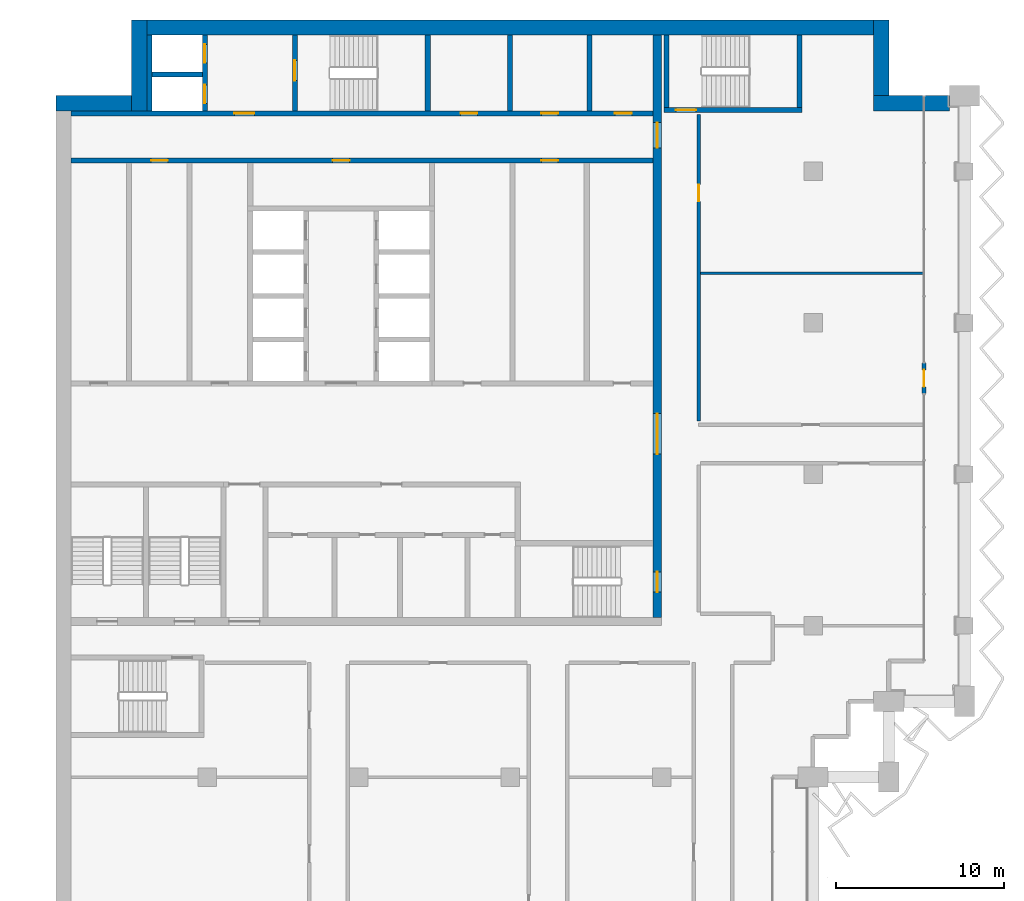
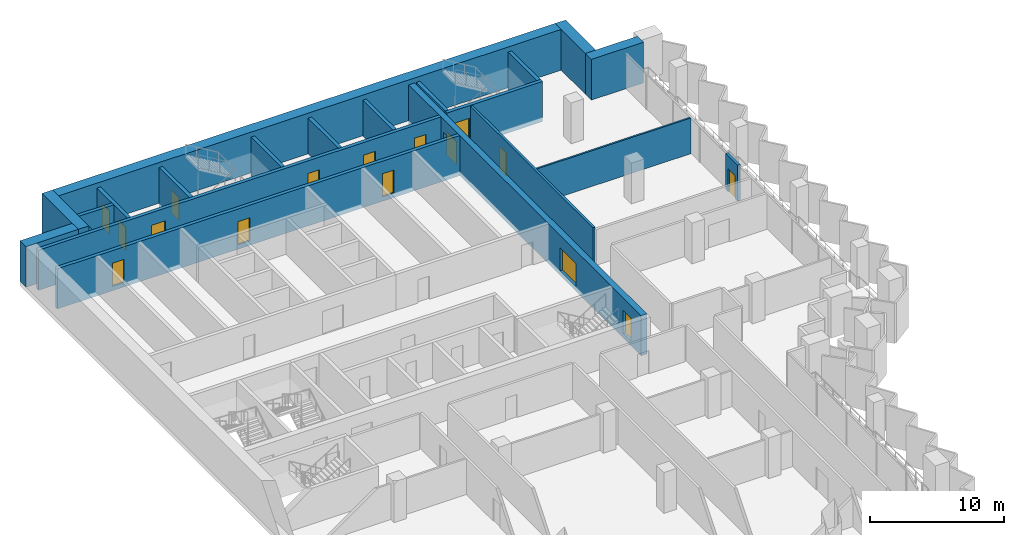
# One storey, part 12 of 18: 21 walls, 16 doors, 16 openings.
"""IFC4 building model written with IfcOpenShell, lengths in metres."""

import ifcopenshell
import ifcopenshell.guid

model = None  # the IFC model being written
_history = None  # IfcOwnerHistory: only IFC2X3 demands one
_inside = {}  # id of a spatial element -> (the spatial element, [elements in it])
_under = {}  # id of a project, library or spatial element -> (it, [spatial elements below it])
_declared = {}  # id of a project -> (the project, [libraries it declares])
_typed = {}  # id of a type object -> (the type object, [elements of that type])
_made_of = {}  # id of a material, layer set ... -> (it, [elements and type objects made of it])


def new_model(schema):
    """Start an empty IFC model of exactly this schema.

    Asked for "IFC4X3", IfcOpenShell would pick the latest addendum, in which some entities
    have other attributes; the version numbers below select the first issue.
    IFC2X3 requires an IfcOwnerHistory on every rooted entity: one is made here for all.
    """
    global model, _history
    if schema == "IFC4X3":
        model = ifcopenshell.file(schema_version=(4, 3, 0, 0))
    else:
        model = ifcopenshell.file(schema=schema)
    _inside.clear()
    _under.clear()
    _declared.clear()
    _typed.clear()
    _made_of.clear()
    _history = None
    if model.schema == "IFC2X3":
        org = make("IfcOrganization", Name="unknown")
        user = make(
            "IfcPersonAndOrganization",
            ThePerson=make("IfcPerson", FamilyName="unknown"),
            TheOrganization=org,
        )
        app = make(
            "IfcApplication",
            ApplicationDeveloper=org,
            Version="unknown",
            ApplicationFullName="unknown",
            ApplicationIdentifier="unknown",
        )
        _history = make(
            "IfcOwnerHistory",
            OwningUser=user,
            OwningApplication=app,
            ChangeAction="ADDED",
            CreationDate=0,
        )
    return model


def make(cls, **values):
    """One entity of the class cls with the attributes given. An attribute that is None is left unset."""
    return model.create_entity(
        cls, **{name: value for name, value in values.items() if value is not None}
    )


def rooted(cls, **values):
    """An entity with a GlobalId (a new one), such as an element, a storey or a relation."""
    return make(cls, GlobalId=ifcopenshell.guid.new(), OwnerHistory=_history, **values)


def si_unit(unit_type, name, prefix=None):
    """IfcSIUnit, for example si_unit("LENGTHUNIT", "METRE", prefix="MILLI")."""
    return make("IfcSIUnit", UnitType=unit_type, Prefix=prefix, Name=name)


def assignment(units):
    """IfcUnitAssignment: the units of a project."""
    return None if units is None else make("IfcUnitAssignment", Units=units)


def point(xyz):
    """IfcCartesianPoint."""
    return None if xyz is None else make("IfcCartesianPoint", Coordinates=xyz)


def direction(xyz):
    """IfcDirection."""
    return None if xyz is None else make("IfcDirection", DirectionRatios=xyz)


def frame(location, z_axis=None, x_axis=None):
    """IfcAxis2Placement3D, a coordinate frame: its origin and axes. An axis left out is left unset."""
    return make(
        "IfcAxis2Placement3D",
        Location=point(location),
        Axis=direction(z_axis),
        RefDirection=direction(x_axis),
    )


def frame_2d(location, x_axis=None):
    """IfcAxis2Placement2D, a coordinate frame in the plane: its origin and x axis."""
    return make(
        "IfcAxis2Placement2D", Location=point(location), RefDirection=direction(x_axis)
    )


def origin():
    """The frame at (0, 0, 0) with its axes left unset."""
    return frame((0.0, 0.0, 0.0))


def place(relative_to, where):
    """IfcLocalPlacement: puts the frame where relative to a parent placement (None: the world)."""
    return make(
        "IfcLocalPlacement", PlacementRelTo=relative_to, RelativePlacement=where
    )


def context(
    kind, dimensions, precision=None, world=None, true_north=None, identifier=None
):
    """IfcGeometricRepresentationContext, for example the 3D "Model" context."""
    return make(
        "IfcGeometricRepresentationContext",
        ContextIdentifier=identifier,
        ContextType=kind,
        CoordinateSpaceDimension=dimensions,
        Precision=precision,
        WorldCoordinateSystem=world,
        TrueNorth=true_north,
    )


def subcontext(parent, identifier, kind, view, scale=None):
    """IfcGeometricRepresentationSubContext, for example "Body" below "Model"."""
    return make(
        "IfcGeometricRepresentationSubContext",
        ContextIdentifier=identifier,
        ContextType=kind,
        ParentContext=parent,
        TargetScale=scale,
        TargetView=view,
    )


def project(units=None, contexts=None):
    """IfcProject with its units and contexts."""
    return rooted(
        "IfcProject",
        Name="project",
        RepresentationContexts=contexts,
        UnitsInContext=assignment(units),
    )


def spatial(cls, under=None, at=None, **own):
    """A site, building, storey or space (cls), placed at a placement, below another one or the project."""
    s = rooted(cls, ObjectPlacement=at, **own)
    if under is not None:
        _under.setdefault(under.id(), (under, []))[1].append(s)
    return s


def profile(cls, at=None, kind="AREA", **sizes):
    """A parametric profile (cls). Its sizes go by their IFC names, for example OverallWidth=200.0."""
    return make(cls, ProfileType=kind, Position=at, **sizes)


def rectangle(**sizes):
    """IfcRectangleProfileDef."""
    return profile("IfcRectangleProfileDef", **sizes)


def extrude(swept, where, along, depth):
    """IfcExtrudedAreaSolid: the profile swept, set in the frame where, extruded along a direction by depth."""
    return make(
        "IfcExtrudedAreaSolid",
        SweptArea=swept,
        Position=where,
        ExtrudedDirection=direction(along),
        Depth=depth,
    )


def shape(context_of_items, identifier, shape_type, items):
    """IfcShapeRepresentation: the items that make up one representation, for example the "Body"."""
    return make(
        "IfcShapeRepresentation",
        ContextOfItems=context_of_items,
        RepresentationIdentifier=identifier,
        RepresentationType=shape_type,
        Items=items,
    )


def material(Name=None, Category=None):
    """IfcMaterial."""
    return make("IfcMaterial", Name=Name, Category=Category)


def layer(
    of_material, thickness, ventilated=None, Name=None, Category=None, Priority=None
):
    """IfcMaterialLayer: one layer of a wall or slab, of a material (None: an air gap)."""
    return make(
        "IfcMaterialLayer",
        Material=of_material,
        LayerThickness=thickness,
        IsVentilated=ventilated,
        Name=Name,
        Category=Category,
        Priority=Priority,
    )


def layer_set(layers, Name=None):
    """IfcMaterialLayerSet."""
    return make("IfcMaterialLayerSet", MaterialLayers=layers, LayerSetName=Name)


def made_of(thing, what):
    """Note that an element or type object is made of a material, layer set ...; save() writes the relation."""
    if what is not None:
        _made_of.setdefault(what.id(), (what, []))[1].append(thing)
    return thing


def type_object(cls, material=None, **own):
    """A type object (cls), such as IfcWallType, which elements share."""
    return made_of(rooted(cls, **own), material)


def element(
    cls,
    number,
    at=None,
    inside=None,
    cuts=None,
    type_object=None,
    material=None,
    context=None,
    identifier="Body",
    shape_type=None,
    held_by="IfcProductDefinitionShape",
    body=None,
    shapes=None,
    **own,
):
    """One element of the class cls, such as IfcWall. Its Tag is "e" and its number.

    at: its placement. inside: the storey or other place that contains it. cuts: it is an
    opening in that element (IfcRelVoidsElement). A single representation is given by context,
    identifier, shape_type and body (its items); several are given by shapes. held_by: the class
    of the entity that holds the representations. save() writes the other relations.
    """
    e = rooted(cls, Tag="e%d" % number, ObjectPlacement=at, **own)
    if body is not None:
        shapes = [shape(context, identifier, shape_type, body)]
    if shapes is not None:
        e.Representation = make(held_by, Representations=shapes)
    if inside is not None:
        _inside.setdefault(inside.id(), (inside, []))[1].append(e)
    if cuts is not None:
        rooted(
            "IfcRelVoidsElement", RelatingBuildingElement=cuts, RelatedOpeningElement=e
        )
    if type_object is not None:
        _typed.setdefault(type_object.id(), (type_object, []))[1].append(e)
    return made_of(e, material)


def fill(opening, filler):
    """IfcRelFillsElement: the door or window that sits in an opening."""
    return rooted(
        "IfcRelFillsElement",
        RelatingOpeningElement=opening,
        RelatedBuildingElement=filler,
    )


def aggregate(whole, parts):
    """IfcRelAggregates: a whole, such as a stair, and the parts it consists of."""
    return rooted("IfcRelAggregates", RelatingObject=whole, RelatedObjects=parts)


def save(model, path):
    """Write the relations noted so far, then the file.

    IfcRelAggregates (storeys below a building ...), IfcRelContainedInSpatialStructure (elements
    in a storey), IfcRelDefinesByType, IfcRelAssociatesMaterial and IfcRelDeclares: one each for
    every whole, place, type object, material and project.
    """
    for whole, parts in _under.values():
        aggregate(whole, parts)
    for where, things in _inside.values():
        rooted(
            "IfcRelContainedInSpatialStructure",
            RelatedElements=things,
            RelatingStructure=where,
        )
    for kind, things in _typed.values():
        rooted("IfcRelDefinesByType", RelatedObjects=things, RelatingType=kind)
    for what, things in _made_of.values():
        rooted("IfcRelAssociatesMaterial", RelatedObjects=things, RelatingMaterial=what)
    for by, libraries in _declared.values():
        rooted("IfcRelDeclares", RelatingContext=by, RelatedDefinitions=libraries)
    model.write(path)


model = new_model("IFC4")

# Units and contexts
model_context = context("Model", 3, precision=1e-05, world=origin(), true_north=direction((0.0, 1.0)))
body_context = subcontext(model_context, "Body", "Model", "MODEL_VIEW")
ifc_project = project(units=[si_unit("LENGTHUNIT", "METRE"), si_unit("AREAUNIT", "SQUARE_METRE"), si_unit("VOLUMEUNIT", "CUBIC_METRE"), si_unit("PLANEANGLEUNIT", "RADIAN"), si_unit("MASSUNIT", "GRAM", prefix="KILO")], contexts=[model_context])

# Site, building, storey
site_placement = place(None, origin())
site = spatial("IfcSite", under=ifc_project, at=site_placement, CompositionType="ELEMENT")
building_placement = place(site_placement, origin())
building = spatial("IfcBuilding", under=site, at=building_placement, Name="Hunhe Ridgeline Campus", CompositionType="ELEMENT")
storey_placement = place(building_placement, frame((0.0, 0.0, 223.5)))
storey = spatial("IfcBuildingStorey", under=building, at=storey_placement, Name="L57", CompositionType="ELEMENT", Elevation=223.5)

# Walls
ifc_material_1 = material(Name="Masonry concrete blockwork", Category="masonry")
ifc_layer_1 = layer(ifc_material_1, 0.300048828125)
ifc_layer_set_1 = layer_set([ifc_layer_1], Name="Core room partition 300 concrete block")
wall_type_1 = type_object("IfcWallType", Name="Core room partition 300 concrete block", PredefinedType="PARTITIONING", material=ifc_layer_set_1)
for number, where, z_axis, x_axis, name in (
    (1, (27.0, 93.60009765625, 0.0), (0.0, 0.0, 1.0), (0.0, 1.0, 0.0), "L57 core partition 47"),
    (2, (31.699951171875, 93.60009765625, 0.0), (0.0, 0.0, 1.0), (0.0, 1.0, 0.0), "L57 core partition 52"),
):
    element("IfcWall", number, at=place(storey_placement, frame(where, z_axis=z_axis, x_axis=x_axis)), inside=storey, type_object=wall_type_1, Name=name, PredefinedType="PARTITIONING", context=body_context, shape_type="SweptSolid", body=[
        extrude(rectangle(XDim=4.5, YDim=0.300048828125, at=frame_2d((2.25, 0.0))), origin(), (0.0, 0.0, 1.0), 3.25),
    ])

# Wall, openings, doors
ifc_material_2 = material(Name="Concrete C60", Category="concrete")
ifc_layer_2 = layer(ifc_material_2, 0.5)
ifc_layer_set_2 = layer_set([ifc_layer_2], Name="Core wall 500 reinforced concrete C60")
wall_type_2 = type_object("IfcWallType", Name="Core wall 500 reinforced concrete C60", PredefinedType="SOLIDWALL", material=ifc_layer_set_2)
wall_1_placement = place(storey_placement, frame((35.75, 63.5, -0.39990234375), z_axis=(0.0, 0.0, 1.0), x_axis=(0.0, 1.0, 0.0)))
wall_1 = element("IfcWall", 3, at=wall_1_placement, inside=storey, type_object=wall_type_2, Name="L57 core wall 53", PredefinedType="SOLIDWALL", context=body_context, shape_type="SweptSolid", body=[
    extrude(rectangle(XDim=34.60009765625, YDim=0.5, at=frame_2d((17.300048828125, 0.0))), origin(), (0.0, 0.0, 1.0), 3.64990234375),
])
opening_1_placement = place(wall_1_placement, frame((9.699951171875, 0.0, 0.39990234375)))
opening_1 = element("IfcOpeningElement", 4, at=opening_1_placement, cuts=wall_1, Name="Opening CD4", PredefinedType="OPENING", context=body_context, shape_type="SweptSolid", body=[
    extrude(rectangle(XDim=2.39990234375, YDim=2.10009765625, at=frame_2d((1.199951171875, 1.050048828125))), frame((0.0, 0.25, 0.0), z_axis=(0.0, -1.0, 0.0), x_axis=(1.0, 0.0, 0.0)), (0.0, 0.0, 1.0), 0.5),
])
opening_2_placement = place(wall_1_placement, frame((27.89990234375, 0.0, 0.39990234375)))
opening_2 = element("IfcOpeningElement", 5, at=opening_2_placement, cuts=wall_1, Name="Opening CD5", PredefinedType="OPENING", context=body_context, shape_type="SweptSolid", body=[
    extrude(rectangle(XDim=1.5, YDim=2.10009765625, at=frame_2d((0.75, 1.050048828125))), frame((0.0, 0.25, 0.0), z_axis=(0.0, -1.0, 0.0), x_axis=(1.0, 0.0, 0.0)), (0.0, 0.0, 1.0), 0.5),
])
opening_3_placement = place(wall_1_placement, frame((1.5, 0.0, 0.39990234375)))
opening_3 = element("IfcOpeningElement", 6, at=opening_3_placement, cuts=wall_1, Name="Opening CD15", PredefinedType="OPENING", context=body_context, shape_type="SweptSolid", body=[
    extrude(rectangle(XDim=1.199951171875, YDim=2.10009765625, at=frame_2d((0.60009765625, 1.050048828125))), frame((0.0, 0.25, 0.0), z_axis=(0.0, -1.0, 0.0), x_axis=(1.0, 0.0, 0.0)), (0.0, 0.0, 1.0), 0.5),
])
ifc_material_3 = material(Name="Anodised aluminium and glass", Category="aluminium")
door_type_1 = type_object("IfcDoorType", Name="Glazed double door 2400x2100", OperationType="DOUBLE_DOOR_SINGLE_SWING", PredefinedType="DOOR", material=ifc_material_3)
door_1_placement = place(opening_1_placement, frame((2.39990234375, 0.0, 0.0), z_axis=(0.0, 0.0, 1.0), x_axis=(-1.0, 0.0, 0.0)))
door_1 = element("IfcDoor", 7, at=door_1_placement, inside=storey, type_object=door_type_1, Name="L57 door HALL-FLOOR", OperationType="DOUBLE_DOOR_SINGLE_SWING", OverallHeight=2.10009765625, OverallWidth=2.39990234375, PredefinedType="DOOR", context=body_context, shape_type="SweptSolid", body=[
    extrude(rectangle(XDim=2.39990234375, YDim=2.10009765625, at=frame_2d((1.199951171875, 1.050048828125))), frame((0.0, 0.02490234375, 0.0), z_axis=(0.0, -1.0, 0.0), x_axis=(1.0, 0.0, 0.0)), (0.0, 0.0, 1.0), 0.050048828125),
])
fill(opening_1, door_1)
ifc_material_4 = material(Name="Hollow metal fire door leaf")
door_type_2 = type_object("IfcDoorType", Name="Stair door 1200x2100 FD60", OperationType="SINGLE_SWING_LEFT", PredefinedType="DOOR", material=ifc_material_4)
door_2_placement = place(opening_3_placement, frame((1.199951171875, 0.0, 0.0), z_axis=(0.0, 0.0, 1.0), x_axis=(-1.0, 0.0, 0.0)))
door_2 = element("IfcDoor", 8, at=door_2_placement, inside=storey, type_object=door_type_2, Name="L57 door S2-FLOOR", OperationType="SINGLE_SWING_LEFT", OverallHeight=2.10009765625, OverallWidth=1.199951171875, PredefinedType="DOOR", context=body_context, shape_type="SweptSolid", body=[
    extrude(rectangle(XDim=1.199951171875, YDim=2.10009765625, at=frame_2d((0.60009765625, 1.050048828125))), frame((0.0, 0.02490234375, 0.0), z_axis=(0.0, -1.0, 0.0), x_axis=(1.0, 0.0, 0.0)), (0.0, 0.0, 1.0), 0.050048828125),
])
fill(opening_3, door_2)
ifc_material_5 = material(Name="Solid core timber door leaf", Category="wood")
door_type_3 = type_object("IfcDoorType", Name="Timber door 1500x2100", OperationType="SINGLE_SWING_LEFT", PredefinedType="DOOR", material=ifc_material_5)
door_3_placement = place(opening_2_placement, frame((1.5, 0.0, 0.0), z_axis=(0.0, 0.0, 1.0), x_axis=(-1.0, 0.0, 0.0)))
door_3 = element("IfcDoor", 9, at=door_3_placement, inside=storey, type_object=door_type_3, Name="L57 door C1-FLOOR", OperationType="SINGLE_SWING_LEFT", OverallHeight=2.10009765625, OverallWidth=1.5, PredefinedType="DOOR", context=body_context, shape_type="SweptSolid", body=[
    extrude(rectangle(XDim=1.5, YDim=2.10009765625, at=frame_2d((0.75, 1.050048828125))), frame((0.0, 0.02490234375, 0.0), z_axis=(0.0, -1.0, 0.0), x_axis=(1.0, 0.0, 0.0)), (0.0, 0.0, 1.0), 0.050048828125),
])
fill(opening_2, door_3)

# Wall, opening, door
ifc_material_6 = material(Name="Gypsum board partition")
ifc_layer_3 = layer(ifc_material_6, 0.199951171875)
ifc_layer_set_3 = layer_set([ifc_layer_3], Name="Corridor partition 200 gypsum board on steel studs")
wall_type_3 = type_object("IfcWallType", Name="Corridor partition 200 gypsum board on steel studs", PredefinedType="PARTITIONING", material=ifc_layer_set_3)
wall_2_placement = place(storey_placement, frame((38.199951171875, 93.39599609375, 0.0), z_axis=(0.0, 0.0, 1.0), x_axis=(0.0, -1.0, 0.0)))
wall_2 = element("IfcWall", 10, at=wall_2_placement, inside=storey, type_object=wall_type_3, Name="F-L57-wall-048", PredefinedType="PARTITIONING", context=body_context, shape_type="SweptSolid", body=[
    extrude(rectangle(XDim=18.216552734375, YDim=0.199951171875, at=frame_2d((9.1083984375, 0.0))), origin(), (0.0, 0.0, 1.0), 3.25),
])
opening_4_placement = place(wall_2_placement, frame((4.1806640625, 0.0, 0.0)))
opening_4 = element("IfcOpeningElement", 11, at=opening_4_placement, cuts=wall_2, Name="Opening RD1-020", PredefinedType="OPENING", context=body_context, shape_type="SweptSolid", body=[
    extrude(rectangle(XDim=1.0, YDim=2.10009765625, at=frame_2d((0.5, 1.050048828125))), frame((0.0, 0.10009765625, 0.0), z_axis=(0.0, -1.0, 0.0), x_axis=(1.0, 0.0, 0.0)), (0.0, 0.0, 1.0), 0.199951171875),
])
ifc_material_7 = material(Name="Timber door leaf", Category="wood")
door_type_4 = type_object("IfcDoorType", Name="Single fire door 1000x2100 timber FD60", OperationType="NOTDEFINED", PredefinedType="DOOR", material=ifc_material_7)
door_4_placement = place(opening_4_placement, origin())
door_4 = element("IfcDoor", 12, at=door_4_placement, inside=storey, type_object=door_type_4, Name="F-L57-door-020", OperationType="SINGLE_SWING_RIGHT", OverallHeight=2.10009765625, OverallWidth=1.0, PredefinedType="DOOR", context=body_context, shape_type="SweptSolid", body=[
    extrude(rectangle(XDim=1.0, YDim=2.10009765625, at=frame_2d((0.5, 1.050048828125))), frame((0.0, 0.02490234375, 0.0), z_axis=(0.0, -1.0, 0.0), x_axis=(1.0, 0.0, 0.0)), (0.0, 0.0, 1.0), 0.050048828125),
])
fill(opening_4, door_4)

# Wall, openings, doors
ifc_layer_4 = layer(ifc_material_2, 0.300048828125)
ifc_layer_set_4 = layer_set([ifc_layer_4], Name="Lobby wall 300 reinforced concrete C60")
wall_type_4 = type_object("IfcWallType", Name="Lobby wall 300 reinforced concrete C60", PredefinedType="SOLIDWALL", material=ifc_layer_set_4)
wall_3_placement = place(storey_placement, frame((0.89990234375, 90.64990234375, -0.39990234375), z_axis=(0.0, 0.0, 1.0), x_axis=(1.0, 0.0, 0.0)))
wall_3 = element("IfcWall", 13, at=wall_3_placement, inside=storey, type_object=wall_type_4, Name="L57 core wall 21", PredefinedType="SOLIDWALL", context=body_context, shape_type="SweptSolid", body=[
    extrude(rectangle(XDim=34.60009765625, YDim=0.300048828125, at=frame_2d((17.300048828125, 0.0))), origin(), (0.0, 0.0, 1.0), 3.64990234375),
])
opening_5_placement = place(wall_3_placement, frame((15.550048828125, 0.0, 0.39990234375)))
opening_5 = element("IfcOpeningElement", 14, at=opening_5_placement, cuts=wall_3, Name="Opening CD26", PredefinedType="OPENING", context=body_context, shape_type="SweptSolid", body=[
    extrude(rectangle(XDim=1.0, YDim=2.10009765625, at=frame_2d((0.5, 1.050048828125))), frame((0.0, 0.14990234375, 0.0), z_axis=(0.0, -1.0, 0.0), x_axis=(1.0, 0.0, 0.0)), (0.0, 0.0, 1.0), 0.300048828125),
])
opening_6_placement = place(wall_3_placement, frame((4.75, 0.0, 0.39990234375)))
opening_6 = element("IfcOpeningElement", 15, at=opening_6_placement, cuts=wall_3, Name="Opening CD40", PredefinedType="OPENING", context=body_context, shape_type="SweptSolid", body=[
    extrude(rectangle(XDim=1.0, YDim=2.10009765625, at=frame_2d((0.5, 1.050048828125))), frame((0.0, 0.14990234375, 0.0), z_axis=(0.0, -1.0, 0.0), x_axis=(1.0, 0.0, 0.0)), (0.0, 0.0, 1.0), 0.300048828125),
])
opening_7_placement = place(wall_3_placement, frame((27.949951171875, 0.0, 0.39990234375)))
opening_7 = element("IfcOpeningElement", 16, at=opening_7_placement, cuts=wall_3, Name="Opening CD33", PredefinedType="OPENING", context=body_context, shape_type="SweptSolid", body=[
    extrude(rectangle(XDim=1.0, YDim=2.10009765625, at=frame_2d((0.5, 1.050048828125))), frame((0.0, 0.14990234375, 0.0), z_axis=(0.0, -1.0, 0.0), x_axis=(1.0, 0.0, 0.0)), (0.0, 0.0, 1.0), 0.300048828125),
])
door_type_5 = type_object("IfcDoorType", Name="Timber door 1000x2100", OperationType="SINGLE_SWING_LEFT", PredefinedType="DOOR", material=ifc_material_5)
door_5_placement = place(opening_5_placement, frame((1.0, 0.0, 0.0), z_axis=(0.0, 0.0, 1.0), x_axis=(-1.0, 0.0, 0.0)))
door_5 = element("IfcDoor", 17, at=door_5_placement, inside=storey, type_object=door_type_5, Name="L57 door NR-0", OperationType="SINGLE_SWING_LEFT", OverallHeight=2.10009765625, OverallWidth=1.0, PredefinedType="DOOR", context=body_context, shape_type="SweptSolid", body=[
    extrude(rectangle(XDim=1.0, YDim=2.10009765625, at=frame_2d((0.5, 1.050048828125))), frame((0.0, 0.02490234375, 0.0), z_axis=(0.0, -1.0, 0.0), x_axis=(1.0, 0.0, 0.0)), (0.0, 0.0, 1.0), 0.050048828125),
])
fill(opening_5, door_5)
door_6_placement = place(opening_6_placement, frame((1.0, 0.0, 0.0), z_axis=(0.0, 0.0, 1.0), x_axis=(-1.0, 0.0, 0.0)))
door_6 = element("IfcDoor", 18, at=door_6_placement, inside=storey, type_object=door_type_5, Name="L57 door VD-LR1", OperationType="SINGLE_SWING_LEFT", OverallHeight=2.10009765625, OverallWidth=1.0, PredefinedType="DOOR", context=body_context, shape_type="SweptSolid", body=[
    extrude(rectangle(XDim=1.0, YDim=2.10009765625, at=frame_2d((0.5, 1.050048828125))), frame((0.0, 0.02490234375, 0.0), z_axis=(0.0, -1.0, 0.0), x_axis=(1.0, 0.0, 0.0)), (0.0, 0.0, 1.0), 0.050048828125),
])
fill(opening_6, door_6)
door_7_placement = place(opening_7_placement, frame((1.0, 0.0, 0.0), z_axis=(0.0, 0.0, 1.0), x_axis=(-1.0, 0.0, 0.0)))
door_7 = element("IfcDoor", 19, at=door_7_placement, inside=storey, type_object=door_type_5, Name="L57 door ES1", OperationType="SINGLE_SWING_LEFT", OverallHeight=2.10009765625, OverallWidth=1.0, PredefinedType="DOOR", context=body_context, shape_type="SweptSolid", body=[
    extrude(rectangle(XDim=1.0, YDim=2.10009765625, at=frame_2d((0.5, 1.050048828125))), frame((0.0, 0.02490234375, 0.0), z_axis=(0.0, -1.0, 0.0), x_axis=(1.0, 0.0, 0.0)), (0.0, 0.0, 1.0), 0.050048828125),
])
fill(opening_7, door_7)

# Wall, opening, door
ifc_material_8 = material(Name="Concrete C30", Category="concrete")
ifc_layer_5 = layer(ifc_material_8, 0.25)
ifc_layer_set_5 = layer_set([ifc_layer_5], Name="Loggia door pier wall 250 Concrete C30")
wall_type_5 = type_object("IfcWallType", Name="Loggia door pier wall 250 Concrete C30", PredefinedType="SOLIDWALL", material=ifc_layer_set_5)
wall_4_placement = place(storey_placement, frame((51.59912109375, 76.800537109375, 0.0), z_axis=(0.0, 0.0, 1.0), x_axis=(0.0, 1.0, 0.0)))
wall_4 = element("IfcWall", 20, at=wall_4_placement, inside=storey, type_object=wall_type_5, Name="Loggia door pier 3", PredefinedType="SOLIDWALL", context=body_context, shape_type="SweptSolid", body=[
    extrude(rectangle(XDim=1.800048828125, YDim=0.25, at=frame_2d((0.89990234375, 0.0))), origin(), (0.0, 0.0, 1.0), 3.25),
])
opening_8_placement = place(wall_4_placement, frame((0.39990234375, 0.0, 0.0)))
opening_8 = element("IfcOpeningElement", 21, at=opening_8_placement, cuts=wall_4, Name="Opening BD406", PredefinedType="OPENING", context=body_context, shape_type="SweptSolid", body=[
    extrude(rectangle(XDim=1.0, YDim=2.10009765625, at=frame_2d((0.5, 1.050048828125))), frame((0.0, 0.125, 0.0), z_axis=(0.0, -1.0, 0.0), x_axis=(1.0, 0.0, 0.0)), (0.0, 0.0, 1.0), 0.25),
])
ifc_material_9 = material(Name="Aluminium 6063", Category="aluminium")
door_type_6 = type_object("IfcDoorType", Name="Loggia glazed door 1000x2100", OperationType="NOTDEFINED", PredefinedType="DOOR", material=ifc_material_9)
door_8_placement = place(opening_8_placement, frame((1.0, 0.0, 0.0), z_axis=(0.0, 0.0, 1.0), x_axis=(-1.0, 0.0, 0.0)))
door_8 = element("IfcDoor", 22, at=door_8_placement, inside=storey, type_object=door_type_6, Name="Loggia door BD406", OperationType="SINGLE_SWING_LEFT", OverallHeight=2.10009765625, OverallWidth=1.0, PredefinedType="DOOR", context=body_context, shape_type="SweptSolid", body=[
    extrude(rectangle(XDim=1.0, YDim=2.10009765625, at=frame_2d((0.5, 1.050048828125))), frame((0.0, 0.02490234375, 0.0), z_axis=(0.0, -1.0, 0.0), x_axis=(1.0, 0.0, 0.0)), (0.0, 0.0, 1.0), 0.050048828125),
])
fill(opening_8, door_8)

# Wall
ifc_layer_6 = layer(ifc_material_6, 0.14990234375)
ifc_layer_set_6 = layer_set([ifc_layer_6], Name="Room partition 150 gypsum board on steel studs")
wall_type_6 = type_object("IfcWallType", Name="Room partition 150 gypsum board on steel studs", PredefinedType="PARTITIONING", material=ifc_layer_set_6)
wall_5_placement = place(storey_placement, frame((38.300048828125, 83.949951171875, 0.0), z_axis=(0.0, 0.0, 1.0), x_axis=(1.0, 0.0, 0.0)))
element("IfcWall", 23, at=wall_5_placement, inside=storey, type_object=wall_type_6, Name="F-L57-wall-037", PredefinedType="PARTITIONING", context=body_context, shape_type="SweptSolid", body=[
    extrude(rectangle(XDim=13.244873046875, YDim=0.14990234375, at=frame_2d((6.62255859375, 0.0))), origin(), (0.0, 0.0, 1.0), 3.25),
])

# Wall, openings, doors
ifc_layer_7 = layer(ifc_material_2, 0.300048828125)
ifc_layer_set_7 = layer_set([ifc_layer_7], Name="Shaft wall 300 reinforced concrete C60")
wall_type_7 = type_object("IfcWallType", Name="Shaft wall 300 reinforced concrete C60", PredefinedType="SOLIDWALL", material=ifc_layer_set_7)
wall_6_placement = place(storey_placement, frame((0.89990234375, 93.449951171875, -0.39990234375), z_axis=(0.0, 0.0, 1.0), x_axis=(1.0, 0.0, 0.0)))
wall_6 = element("IfcWall", 24, at=wall_6_placement, inside=storey, type_object=wall_type_7, Name="L57 core wall 22", PredefinedType="SOLIDWALL", context=body_context, shape_type="SweptSolid", body=[
    extrude(rectangle(XDim=34.60009765625, YDim=0.300048828125, at=frame_2d((17.300048828125, 0.0))), origin(), (0.0, 0.0, 1.0), 3.64990234375),
])
opening_9_placement = place(wall_6_placement, frame((9.699951171875, 0.0, 0.39990234375)))
opening_9 = element("IfcOpeningElement", 25, at=opening_9_placement, cuts=wall_6, Name="Opening CD3", PredefinedType="OPENING", context=body_context, shape_type="SweptSolid", body=[
    extrude(rectangle(XDim=1.199951171875, YDim=2.10009765625, at=frame_2d((0.60009765625, 1.050048828125))), frame((0.0, 0.14990234375, 0.0), z_axis=(0.0, -1.0, 0.0), x_axis=(1.0, 0.0, 0.0)), (0.0, 0.0, 1.0), 0.300048828125),
])
opening_10_placement = place(wall_6_placement, frame((23.14990234375, 0.0, 0.39990234375)))
opening_10 = element("IfcOpeningElement", 26, at=opening_10_placement, cuts=wall_6, Name="Opening CD34", PredefinedType="OPENING", context=body_context, shape_type="SweptSolid", body=[
    extrude(rectangle(XDim=1.0, YDim=2.10009765625, at=frame_2d((0.5, 1.050048828125))), frame((0.0, 0.14990234375, 0.0), z_axis=(0.0, -1.0, 0.0), x_axis=(1.0, 0.0, 0.0)), (0.0, 0.0, 1.0), 0.300048828125),
])
opening_11_placement = place(wall_6_placement, frame((27.949951171875, 0.0, 0.39990234375)))
opening_11 = element("IfcOpeningElement", 27, at=opening_11_placement, cuts=wall_6, Name="Opening CD35", PredefinedType="OPENING", context=body_context, shape_type="SweptSolid", body=[
    extrude(rectangle(XDim=1.0, YDim=2.10009765625, at=frame_2d((0.5, 1.050048828125))), frame((0.0, 0.14990234375, 0.0), z_axis=(0.0, -1.0, 0.0), x_axis=(1.0, 0.0, 0.0)), (0.0, 0.0, 1.0), 0.300048828125),
])
opening_12_placement = place(wall_6_placement, frame((32.324951171875, 0.0, 0.39990234375)))
opening_12 = element("IfcOpeningElement", 28, at=opening_12_placement, cuts=wall_6, Name="Opening CD36", PredefinedType="OPENING", context=body_context, shape_type="SweptSolid", body=[
    extrude(rectangle(XDim=1.0, YDim=2.10009765625, at=frame_2d((0.5, 1.050048828125))), frame((0.0, 0.14990234375, 0.0), z_axis=(0.0, -1.0, 0.0), x_axis=(1.0, 0.0, 0.0)), (0.0, 0.0, 1.0), 0.300048828125),
])
door_type_7 = type_object("IfcDoorType", Name="Lobby door 1200x2100 FD60", OperationType="SINGLE_SWING_LEFT", PredefinedType="DOOR", material=ifc_material_4)
door_9_placement = place(opening_9_placement, frame((1.199951171875, 0.0, 0.0), z_axis=(0.0, 0.0, 1.0), x_axis=(-1.0, 0.0, 0.0)))
door_9 = element("IfcDoor", 29, at=door_9_placement, inside=storey, type_object=door_type_7, Name="L57 door FF-C1", OperationType="SINGLE_SWING_RIGHT", OverallHeight=2.10009765625, OverallWidth=1.199951171875, PredefinedType="DOOR", context=body_context, shape_type="SweptSolid", body=[
    extrude(rectangle(XDim=1.199951171875, YDim=2.10009765625, at=frame_2d((0.60009765625, 1.050048828125))), frame((0.0, 0.02490234375, 0.0), z_axis=(0.0, -1.0, 0.0), x_axis=(1.0, 0.0, 0.0)), (0.0, 0.0, 1.0), 0.050048828125),
])
fill(opening_9, door_9)
door_10_placement = place(opening_10_placement, origin())
door_10 = element("IfcDoor", 30, at=door_10_placement, inside=storey, type_object=door_type_5, Name="L57 door NB0", OperationType="SINGLE_SWING_RIGHT", OverallHeight=2.10009765625, OverallWidth=1.0, PredefinedType="DOOR", context=body_context, shape_type="SweptSolid", body=[
    extrude(rectangle(XDim=1.0, YDim=2.10009765625, at=frame_2d((0.5, 1.050048828125))), frame((0.0, 0.02490234375, 0.0), z_axis=(0.0, -1.0, 0.0), x_axis=(1.0, 0.0, 0.0)), (0.0, 0.0, 1.0), 0.050048828125),
])
fill(opening_10, door_10)
door_11_placement = place(opening_11_placement, origin())
door_11 = element("IfcDoor", 31, at=door_11_placement, inside=storey, type_object=door_type_5, Name="L57 door NB1", OperationType="SINGLE_SWING_LEFT", OverallHeight=2.10009765625, OverallWidth=1.0, PredefinedType="DOOR", context=body_context, shape_type="SweptSolid", body=[
    extrude(rectangle(XDim=1.0, YDim=2.10009765625, at=frame_2d((0.5, 1.050048828125))), frame((0.0, 0.02490234375, 0.0), z_axis=(0.0, -1.0, 0.0), x_axis=(1.0, 0.0, 0.0)), (0.0, 0.0, 1.0), 0.050048828125),
])
fill(opening_11, door_11)
door_12_placement = place(opening_12_placement, origin())
door_12 = element("IfcDoor", 32, at=door_12_placement, inside=storey, type_object=door_type_5, Name="L57 door NB2", OperationType="SINGLE_SWING_RIGHT", OverallHeight=2.10009765625, OverallWidth=1.0, PredefinedType="DOOR", context=body_context, shape_type="SweptSolid", body=[
    extrude(rectangle(XDim=1.0, YDim=2.10009765625, at=frame_2d((0.5, 1.050048828125))), frame((0.0, 0.02490234375, 0.0), z_axis=(0.0, -1.0, 0.0), x_axis=(1.0, 0.0, 0.0)), (0.0, 0.0, 1.0), 0.050048828125),
])
fill(opening_12, door_12)

# Walls
wall_7_placement = place(storey_placement, frame((5.699951171875, 95.75, -0.39990234375), z_axis=(0.0, 0.0, 1.0), x_axis=(1.0, 0.0, 0.0)))
element("IfcWall", 33, at=wall_7_placement, inside=storey, type_object=wall_type_7, Name="L57 core wall 24", PredefinedType="SOLIDWALL", context=body_context, shape_type="SweptSolid", body=[
    extrude(rectangle(XDim=3.0, YDim=0.300048828125, at=frame_2d((1.5, 0.0))), origin(), (0.0, 0.0, 1.0), 3.64990234375),
])
wall_8_placement = place(storey_placement, frame((5.550048828125, 93.60009765625, -0.39990234375), z_axis=(0.0, 0.0, 1.0), x_axis=(0.0, 1.0, 0.0)))
element("IfcWall", 34, at=wall_8_placement, inside=storey, type_object=wall_type_7, Name="L57 core wall 27", PredefinedType="SOLIDWALL", context=body_context, shape_type="SweptSolid", body=[
    extrude(rectangle(XDim=4.5, YDim=0.300048828125, at=frame_2d((2.25, 0.0))), origin(), (0.0, 0.0, 1.0), 3.64990234375),
])

# Wall, openings, doors
wall_9_placement = place(storey_placement, frame((8.85009765625, 93.60009765625, -0.39990234375), z_axis=(0.0, 0.0, 1.0), x_axis=(0.0, 1.0, 0.0)))
wall_9 = element("IfcWall", 35, at=wall_9_placement, inside=storey, type_object=wall_type_7, Name="L57 core wall 31", PredefinedType="SOLIDWALL", context=body_context, shape_type="SweptSolid", body=[
    extrude(rectangle(XDim=4.5, YDim=0.300048828125, at=frame_2d((2.25, 0.0))), origin(), (0.0, 0.0, 1.0), 3.64990234375),
])
opening_13_placement = place(wall_9_placement, frame((0.449951171875, 0.0, 0.39990234375)))
opening_13 = element("IfcOpeningElement", 36, at=opening_13_placement, cuts=wall_9, Name="Opening LD-FF1", PredefinedType="OPENING", context=body_context, shape_type="SweptSolid", body=[
    extrude(rectangle(XDim=1.10009765625, YDim=2.10009765625, at=frame_2d((0.550048828125, 1.050048828125))), frame((0.0, 0.14990234375, 0.0), z_axis=(0.0, -1.0, 0.0), x_axis=(1.0, 0.0, 0.0)), (0.0, 0.0, 1.0), 0.300048828125),
])
opening_14_placement = place(wall_9_placement, frame((2.85009765625, 0.0, 0.39990234375)))
opening_14 = element("IfcOpeningElement", 37, at=opening_14_placement, cuts=wall_9, Name="Opening LD-FF2", PredefinedType="OPENING", context=body_context, shape_type="SweptSolid", body=[
    extrude(rectangle(XDim=1.10009765625, YDim=2.10009765625, at=frame_2d((0.550048828125, 1.050048828125))), frame((0.0, 0.14990234375, 0.0), z_axis=(0.0, -1.0, 0.0), x_axis=(1.0, 0.0, 0.0)), (0.0, 0.0, 1.0), 0.300048828125),
])
ifc_material_10 = material(Name="Stainless steel sliding leaves", Category="steel")
door_type_8 = type_object("IfcDoorType", Name="Landing door 1100x2100 FD120", OperationType="SLIDING_TO_LEFT", PredefinedType="DOOR", material=ifc_material_10)
door_13_placement = place(opening_13_placement, origin())
door_13 = element("IfcDoor", 38, at=door_13_placement, inside=storey, type_object=door_type_8, Name="L57 landing door FF1", OperationType="SLIDING_TO_RIGHT", OverallHeight=2.10009765625, OverallWidth=1.10009765625, PredefinedType="DOOR", context=body_context, shape_type="SweptSolid", body=[
    extrude(rectangle(XDim=1.10009765625, YDim=2.10009765625, at=frame_2d((0.550048828125, 1.050048828125))), frame((0.0, 0.02490234375, 0.0), z_axis=(0.0, -1.0, 0.0), x_axis=(1.0, 0.0, 0.0)), (0.0, 0.0, 1.0), 0.050048828125),
])
fill(opening_13, door_13)
door_14_placement = place(opening_14_placement, origin())
door_14 = element("IfcDoor", 39, at=door_14_placement, inside=storey, type_object=door_type_8, Name="L57 landing door FF2", OperationType="SLIDING_TO_LEFT", OverallHeight=2.10009765625, OverallWidth=1.10009765625, PredefinedType="DOOR", context=body_context, shape_type="SweptSolid", body=[
    extrude(rectangle(XDim=1.10009765625, YDim=2.10009765625, at=frame_2d((0.550048828125, 1.050048828125))), frame((0.0, 0.02490234375, 0.0), z_axis=(0.0, -1.0, 0.0), x_axis=(1.0, 0.0, 0.0)), (0.0, 0.0, 1.0), 0.050048828125),
])
fill(opening_14, door_14)

# Walls
ifc_layer_8 = layer(ifc_material_2, 0.89990234375)
ifc_layer_set_8 = layer_set([ifc_layer_8], Name="Spine wall 900 Concrete C60")
wall_type_8 = type_object("IfcWallType", Name="Spine wall 900 Concrete C60", PredefinedType="SHEAR", material=ifc_layer_set_8)
wall_10_placement = place(storey_placement, frame((53.10009765625, 94.050048828125, 0.0), z_axis=(0.0, 0.0, 1.0), x_axis=(-1.0, 0.0, 0.0)))
element("IfcWall", 40, at=wall_10_placement, inside=storey, type_object=wall_type_8, Name="Spine wall SW3-2 L57", PredefinedType="SHEAR", context=body_context, shape_type="SweptSolid", body=[
    extrude(rectangle(XDim=4.5, YDim=0.89990234375, at=frame_2d((2.25, 0.0))), origin(), (0.0, 0.0, 1.0), 3.699951171875),
])
wall_11_placement = place(storey_placement, frame((49.050048828125, 93.60009765625, 0.0), z_axis=(0.0, 0.0, 1.0), x_axis=(0.0, 1.0, 0.0)))
element("IfcWall", 41, at=wall_11_placement, inside=storey, type_object=wall_type_8, Name="Spine wall SW3-3 L57", PredefinedType="SHEAR", context=body_context, shape_type="SweptSolid", body=[
    extrude(rectangle(XDim=5.39990234375, YDim=0.89990234375, at=frame_2d((2.699951171875, 0.0))), origin(), (0.0, 0.0, 1.0), 3.699951171875),
])
wall_12_placement = place(storey_placement, frame((49.5, 98.550048828125, 0.0), z_axis=(0.0, 0.0, 1.0), x_axis=(-1.0, 0.0, 0.0)))
element("IfcWall", 42, at=wall_12_placement, inside=storey, type_object=wall_type_8, Name="Spine wall SW3-4 L57", PredefinedType="SHEAR", context=body_context, shape_type="SweptSolid", body=[
    extrude(rectangle(XDim=45.0, YDim=0.89990234375, at=frame_2d((22.5, 0.0))), origin(), (0.0, 0.0, 1.0), 3.699951171875),
])
for number, where, z_axis, x_axis, name in (
    (43, (4.949951171875, 99.0, 0.0), (0.0, 0.0, 1.0), (0.0, -1.0, 0.0), "Spine wall SW3-5 L57"),
    (44, (5.400146484375, 94.050048828125, 0.0), (0.0, 0.0, 1.0), (-1.0, 0.0, 0.0), "Spine wall SW3-6 L57"),
):
    element("IfcWall", number, at=place(storey_placement, frame(where, z_axis=z_axis, x_axis=x_axis)), inside=storey, type_object=wall_type_8, Name=name, PredefinedType="SHEAR", context=body_context, shape_type="SweptSolid", body=[
        extrude(rectangle(XDim=5.400146484375, YDim=0.89990234375, at=frame_2d((2.7001953125, 0.0))), origin(), (0.0, 0.0, 1.0), 3.699951171875),
    ])

# Wall, opening, door
ifc_layer_9 = layer(ifc_material_2, 0.300048828125)
ifc_layer_set_9 = layer_set([ifc_layer_9], Name="Stair wall 300 reinforced concrete C60")
wall_type_9 = type_object("IfcWallType", Name="Stair wall 300 reinforced concrete C60", PredefinedType="SOLIDWALL", material=ifc_layer_set_9)
wall_13_placement = place(storey_placement, frame((36.14990234375, 93.64990234375, -0.39990234375), z_axis=(0.0, 0.0, 1.0), x_axis=(1.0, 0.0, 0.0)))
wall_13 = element("IfcWall", 45, at=wall_13_placement, inside=storey, type_object=wall_type_9, Name="L57 core wall 23", PredefinedType="SOLIDWALL", context=body_context, shape_type="SweptSolid", body=[
    extrude(rectangle(XDim=8.2001953125, YDim=0.300048828125, at=frame_2d((4.10009765625, 0.0))), origin(), (0.0, 0.0, 1.0), 3.64990234375),
])
opening_15_placement = place(wall_13_placement, frame((0.699951171875, 0.0, 0.39990234375)))
opening_15 = element("IfcOpeningElement", 46, at=opening_15_placement, cuts=wall_13, Name="Opening CD17", PredefinedType="OPENING", context=body_context, shape_type="SweptSolid", body=[
    extrude(rectangle(XDim=1.199951171875, YDim=2.10009765625, at=frame_2d((0.60009765625, 1.050048828125))), frame((0.0, 0.14990234375, 0.0), z_axis=(0.0, -1.0, 0.0), x_axis=(1.0, 0.0, 0.0)), (0.0, 0.0, 1.0), 0.300048828125),
])
door_15_placement = place(opening_15_placement, frame((1.199951171875, 0.0, 0.0), z_axis=(0.0, 0.0, 1.0), x_axis=(-1.0, 0.0, 0.0)))
door_15 = element("IfcDoor", 47, at=door_15_placement, inside=storey, type_object=door_type_2, Name="L57 door E1", OperationType="SINGLE_SWING_LEFT", OverallHeight=2.10009765625, OverallWidth=1.199951171875, PredefinedType="DOOR", context=body_context, shape_type="SweptSolid", body=[
    extrude(rectangle(XDim=1.199951171875, YDim=2.10009765625, at=frame_2d((0.60009765625, 1.050048828125))), frame((0.0, 0.02490234375, 0.0), z_axis=(0.0, -1.0, 0.0), x_axis=(1.0, 0.0, 0.0)), (0.0, 0.0, 1.0), 0.050048828125),
])
fill(opening_15, door_15)

wall_14_placement = place(storey_placement, frame((14.199951171875, 93.60009765625, -0.39990234375), z_axis=(0.0, 0.0, 1.0), x_axis=(0.0, 1.0, 0.0)))
wall_14 = element("IfcWall", 48, at=wall_14_placement, inside=storey, type_object=wall_type_9, Name="L57 core wall 36", PredefinedType="SOLIDWALL", context=body_context, shape_type="SweptSolid", body=[
    extrude(rectangle(XDim=4.5, YDim=0.300048828125, at=frame_2d((2.25, 0.0))), origin(), (0.0, 0.0, 1.0), 3.64990234375),
])
opening_16_placement = place(wall_14_placement, frame((1.800048828125, 0.0, 0.39990234375)))
opening_16 = element("IfcOpeningElement", 49, at=opening_16_placement, cuts=wall_14, Name="Opening CD16", PredefinedType="OPENING", context=body_context, shape_type="SweptSolid", body=[
    extrude(rectangle(XDim=1.199951171875, YDim=2.10009765625, at=frame_2d((0.60009765625, 1.050048828125))), frame((0.0, 0.14990234375, 0.0), z_axis=(0.0, -1.0, 0.0), x_axis=(1.0, 0.0, 0.0)), (0.0, 0.0, 1.0), 0.300048828125),
])
door_16_placement = place(opening_16_placement, origin())
door_16 = element("IfcDoor", 50, at=door_16_placement, inside=storey, type_object=door_type_2, Name="L57 door S1-FF", OperationType="SINGLE_SWING_RIGHT", OverallHeight=2.10009765625, OverallWidth=1.199951171875, PredefinedType="DOOR", context=body_context, shape_type="SweptSolid", body=[
    extrude(rectangle(XDim=1.199951171875, YDim=2.10009765625, at=frame_2d((0.60009765625, 1.050048828125))), frame((0.0, 0.02490234375, 0.0), z_axis=(0.0, -1.0, 0.0), x_axis=(1.0, 0.0, 0.0)), (0.0, 0.0, 1.0), 0.050048828125),
])
fill(opening_16, door_16)

# Walls
wall_15_placement = place(storey_placement, frame((22.10009765625, 93.60009765625, -0.39990234375), z_axis=(0.0, 0.0, 1.0), x_axis=(0.0, 1.0, 0.0)))
element("IfcWall", 51, at=wall_15_placement, inside=storey, type_object=wall_type_9, Name="L57 core wall 42", PredefinedType="SOLIDWALL", context=body_context, shape_type="SweptSolid", body=[
    extrude(rectangle(XDim=4.5, YDim=0.300048828125, at=frame_2d((2.25, 0.0))), origin(), (0.0, 0.0, 1.0), 3.64990234375),
])
for number, where, z_axis, x_axis, name in (
    (52, (36.300048828125, 93.800048828125, -0.39990234375), (0.0, 0.0, 1.0), (0.0, 1.0, 0.0), "L57 core wall 54"),
    (53, (44.199951171875, 93.800048828125, -0.39990234375), (0.0, 0.0, 1.0), (0.0, 1.0, 0.0), "L57 core wall 55"),
):
    element("IfcWall", number, at=place(storey_placement, frame(where, z_axis=z_axis, x_axis=x_axis)), inside=storey, type_object=wall_type_9, Name=name, PredefinedType="SOLIDWALL", context=body_context, shape_type="SweptSolid", body=[
        extrude(rectangle(XDim=4.300048828125, YDim=0.300048828125, at=frame_2d((2.14990234375, 0.0))), origin(), (0.0, 0.0, 1.0), 3.64990234375),
    ])

save(model, "model.ifc")
